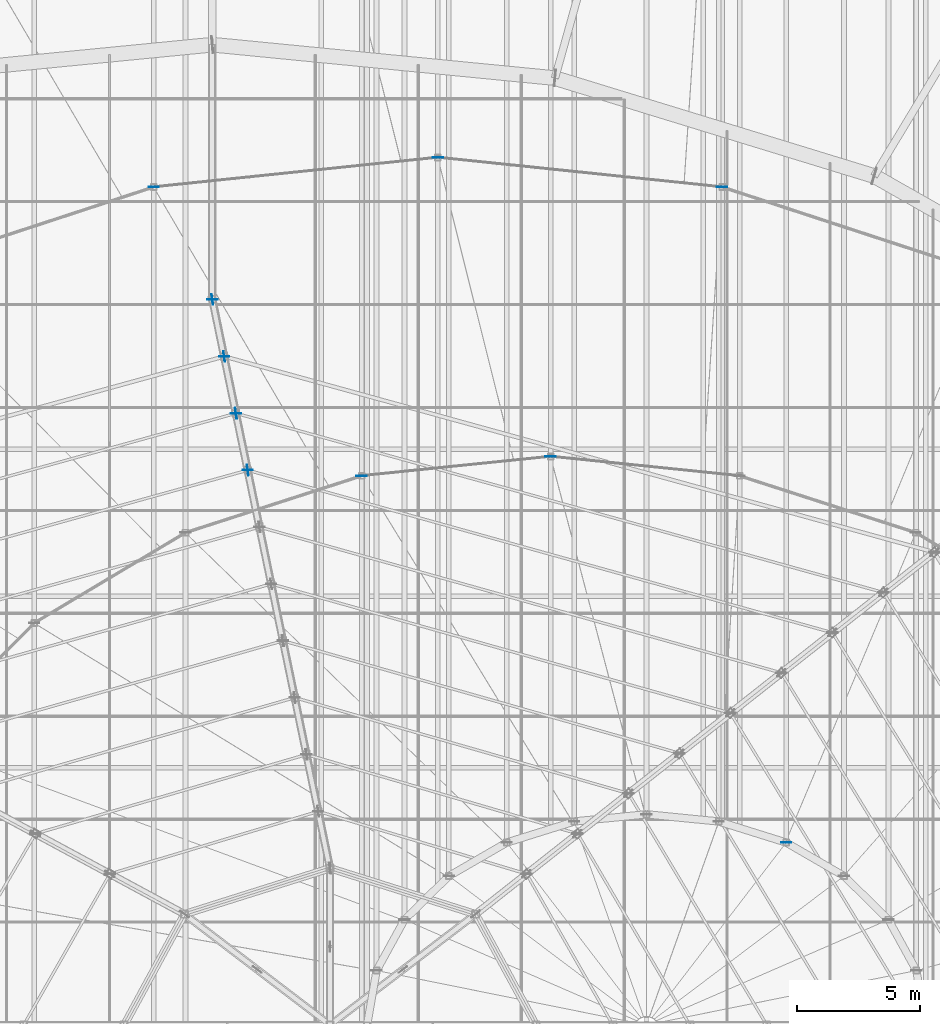
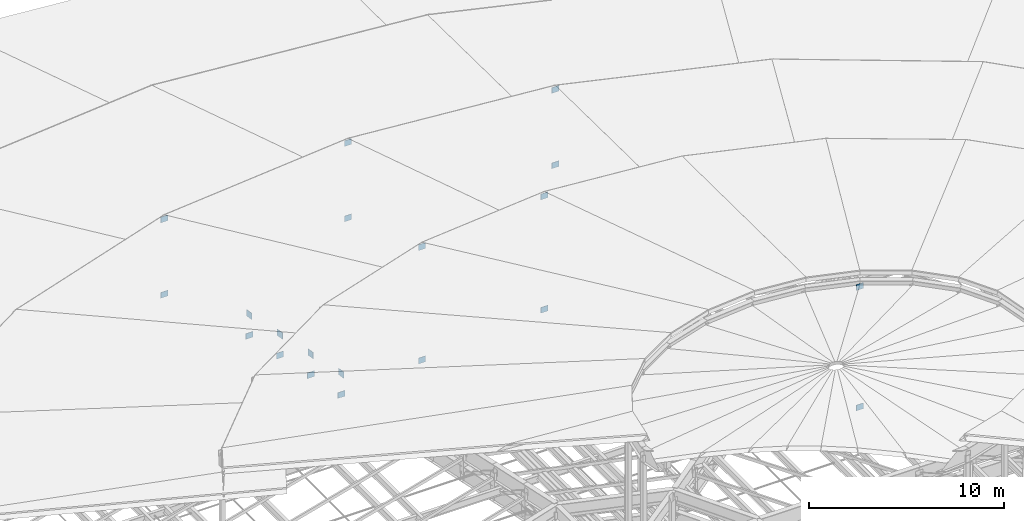
# One storey, part 176 of 184: 20 plates.
"""IFC4 building model written with IfcOpenShell, lengths in metres."""

from ifc_helpers import new_model, si_unit, direction, frame, origin, origin_2d, place, context, subcontext, project, spatial, rectangle, extrude, material, layer, layer_set, type_object, element, save


model = new_model("IFC4")

# Units and contexts
model_context = context("Model", 3, precision=1e-05, world=origin(), true_north=direction((0.0, 1.0)))
body_context = subcontext(model_context, "Body", "Model", "MODEL_VIEW")
ifc_project = project(units=[si_unit("LENGTHUNIT", "METRE"), si_unit("AREAUNIT", "SQUARE_METRE"), si_unit("VOLUMEUNIT", "CUBIC_METRE"), si_unit("PLANEANGLEUNIT", "RADIAN"), si_unit("MASSUNIT", "GRAM", prefix="KILO")], contexts=[model_context])

# Site, building, storey
site_placement = place(None, origin())
site = spatial("IfcSite", under=ifc_project, at=site_placement, CompositionType="ELEMENT")
building_placement = place(site_placement, origin())
building = spatial("IfcBuilding", under=site, at=building_placement, Name="Kalgoora Escarpment Arena", CompositionType="ELEMENT")
storey_placement = place(building_placement, frame((0.0, 0.0, 27.60009765625)))
storey = spatial("IfcBuildingStorey", under=building, at=storey_placement, Name="Roof Level", CompositionType="ELEMENT", Elevation=27.60009765625)

# Plates
ifc_material = material(Name="Structural steel Grade 350 (350 MPa)", Category="steel")
ifc_layer = layer(ifc_material, 0.02490234375)
ifc_layer_set = layer_set([ifc_layer], Name="PLT-GUSSET-25")
plate_type = type_object("IfcPlateType", Name="PLT-GUSSET-25", PredefinedType="USERDEFINED", material=ifc_layer_set)
for number, where, z_axis, x_axis, name in (
    (1, (92.39990234375, 93.60009765625, -0.550048828125), (0.0, 0.0, 1.0), (0.141419587774, -0.989949746297, 0.0), "Radial ROOF TRUSS node gusset plate S3-1"),
    (2, (92.8798828125, 91.280029296875, -0.5400390625), (0.0, 0.0, 1.0), (0.141419587774, -0.989949746297, 0.0), "Radial ROOF TRUSS node gusset plate S3-2"),
    (3, (93.360107421875, 88.9599609375, -0.530029296875), (0.0, 0.0, 1.0), (0.141419587774, -0.989949746297, 0.0), "Radial ROOF TRUSS node gusset plate S3-3"),
    (4, (93.840087890625, 86.639892578125, -0.52001953125), (0.0, 0.0, 1.0), (0.141419587774, -0.989949746297, 0.0), "Radial ROOF TRUSS node gusset plate S3-4"),
):
    element("IfcPlate", number, at=place(storey_placement, frame(where, z_axis=z_axis, x_axis=x_axis)), inside=storey, type_object=plate_type, Name=name, ObjectType="FLANGE PLATE", PredefinedType="USERDEFINED", context=body_context, shape_type="SweptSolid", body=[
        extrude(rectangle(XDim=0.43994140625, YDim=0.02490234375, at=origin_2d()), origin(), (0.0, 0.0, 1.0), 0.39990234375),
    ])
for number, where, z_axis, x_axis, name in (
    (5, (92.39990234375, 93.60009765625, -1.830078125), (0.0, 0.0, 1.0), (1.0, 0.0, 0.0), "Brace and post end gusset plate 090"),
    (6, (92.8798828125, 91.280029296875, -1.8251953125), (0.0, 0.0, 1.0), (1.0, 0.0, 0.0), "Brace and post end gusset plate 091"),
    (7, (93.360107421875, 88.9599609375, -1.8203125), (0.0, 0.0, 1.0), (1.0, 0.0, 0.0), "Brace and post end gusset plate 092"),
    (8, (93.840087890625, 86.639892578125, -1.81494140625), (0.0, 0.0, 1.0), (1.0, 0.0, 0.0), "Brace and post end gusset plate 093"),
    (9, (113.195068359375, 98.19384765625, -1.2001953125), (0.0, 0.0, 1.0), (1.0, 0.0, 0.0), "Brace and post end gusset plate 236"),
    (10, (113.195068359375, 98.19384765625, 3.52490234375), (0.0, 0.0, 1.0), (1.0, 0.0, 0.0), "Brace and post end gusset plate 237"),
    (11, (101.60009765625, 99.39990234375, -1.2001953125), (0.0, 0.0, 1.0), (1.0, 0.0, 0.0), "Brace and post end gusset plate 238"),
    (12, (101.60009765625, 99.39990234375, 3.52490234375), (0.0, 0.0, 1.0), (1.0, 0.0, 0.0), "Brace and post end gusset plate 239"),
    (13, (90.0048828125, 98.19384765625, -1.2001953125), (0.0, 0.0, 1.0), (1.0, 0.0, 0.0), "Brace and post end gusset plate 240"),
    (14, (90.0048828125, 98.19384765625, 3.52490234375), (0.0, 0.0, 1.0), (1.0, 0.0, 0.0), "Brace and post end gusset plate 241"),
    (15, (106.199951171875, 87.199951171875, -1.14013671875), (0.0, 0.0, 1.0), (1.0, 0.0, 0.0), "Brace and post end gusset plate 286"),
    (16, (106.199951171875, 87.199951171875, 5.96484375), (0.0, 0.0, 1.0), (1.0, 0.0, 0.0), "Brace and post end gusset plate 287"),
    (17, (98.4873046875, 86.409423828125, -1.14013671875), (0.0, 0.0, 1.0), (1.0, 0.0, 0.0), "Brace and post end gusset plate 288"),
    (18, (98.4873046875, 86.409423828125, 5.96484375), (0.0, 0.0, 1.0), (1.0, 0.0, 0.0), "Brace and post end gusset plate 289"),
    (19, (115.81005859375, 71.44775390625, -1.080078125), (0.0, 0.0, 1.0), (1.0, 0.0, 0.0), "Brace and post end gusset plate 330"),
    (20, (115.81005859375, 71.44775390625, 6.4697265625), (0.0, 0.0, 1.0), (1.0, 0.0, 0.0), "Brace and post end gusset plate 331"),
):
    element("IfcPlate", number, at=place(storey_placement, frame(where, z_axis=z_axis, x_axis=x_axis)), inside=storey, type_object=plate_type, Name=name, ObjectType="FLANGE PLATE", PredefinedType="USERDEFINED", context=body_context, shape_type="SweptSolid", body=[
        extrude(rectangle(XDim=0.419921875, YDim=0.02490234375, at=origin_2d()), origin(), (0.0, 0.0, 1.0), 0.360107421875),
    ])

save(model, "model.ifc")
